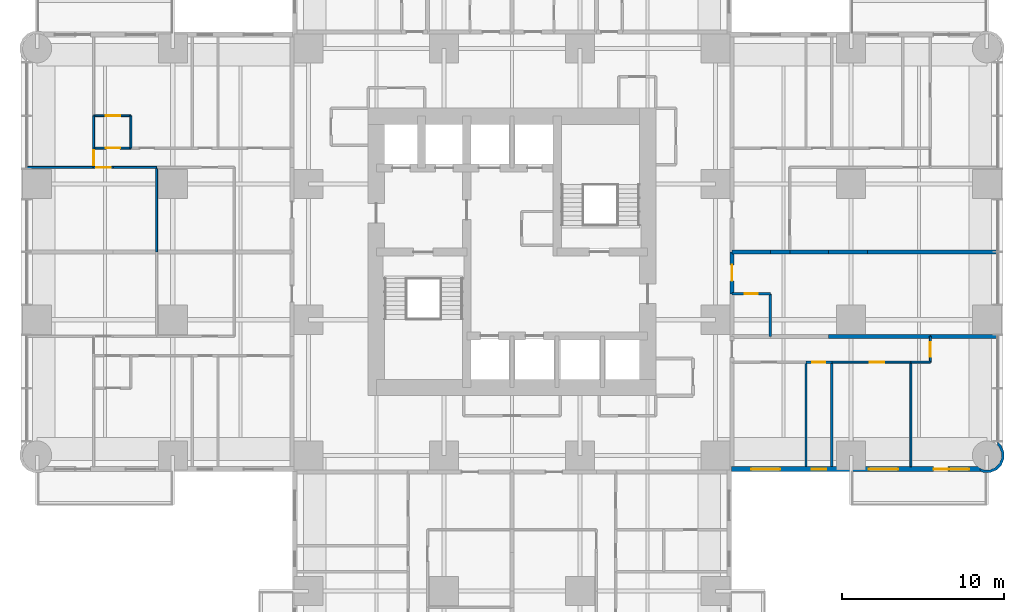
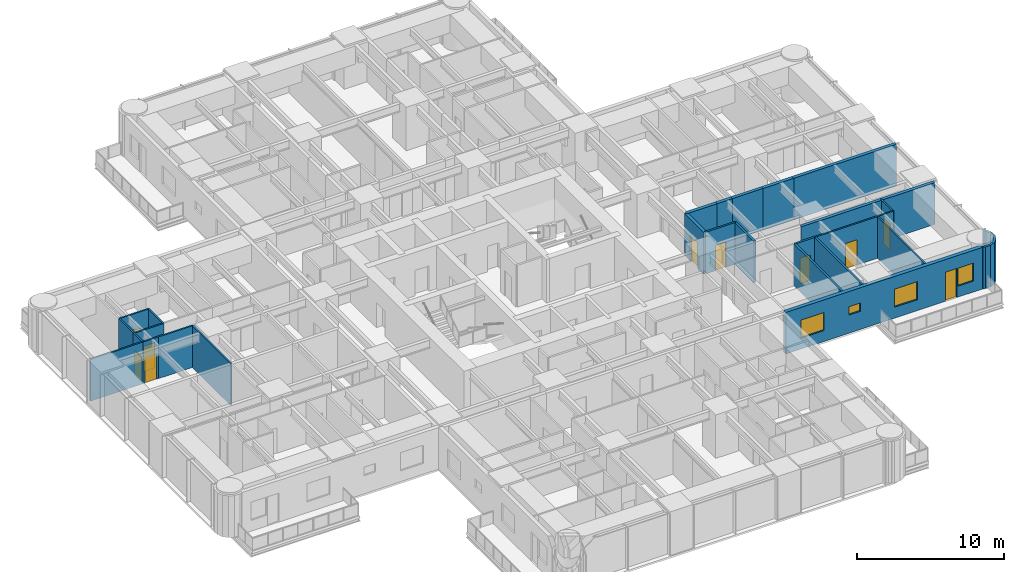
# One storey, part 11 of 17: 28 walls, 10 doors, 4 windows, 14 openings.
"""IFC4 building model written with IfcOpenShell, lengths in metres."""

from ifc_helpers import new_model, si_unit, direction, frame, frame_2d, origin, place, context, subcontext, project, spatial, polyline, rectangle, outline, extrude, material, layer, layer_set, type_object, element, fill, save


model = new_model("IFC4")

# Units and contexts
model_context = context("Model", 3, precision=1e-05, world=origin(), true_north=direction((0.0, 1.0)))
body_context = subcontext(model_context, "Body", "Model", "MODEL_VIEW")
ifc_project = project(units=[si_unit("LENGTHUNIT", "METRE"), si_unit("AREAUNIT", "SQUARE_METRE"), si_unit("VOLUMEUNIT", "CUBIC_METRE"), si_unit("PLANEANGLEUNIT", "RADIAN"), si_unit("MASSUNIT", "GRAM", prefix="KILO")], contexts=[model_context])

# Site, building, storey
site_placement = place(None, origin())
site = spatial("IfcSite", under=ifc_project, at=site_placement, CompositionType="ELEMENT")
building_placement = place(site_placement, origin())
building = spatial("IfcBuilding", under=site, at=building_placement, Name="Torre Alcanfor", CompositionType="ELEMENT")
storey_placement = place(building_placement, frame((0.0, 0.0, 92.10009765625)))
storey = spatial("IfcBuildingStorey", under=building, at=storey_placement, Name="L23", CompositionType="ELEMENT", Elevation=92.10009765625)

# Wall, opening, door
ifc_material_1 = material(Name="Concrete block masonry, hollow blocks NMX-C-404 9 MPa", Category="masonry")
ifc_layer_1 = layer(ifc_material_1, 0.25)
ifc_layer_set_1 = layer_set([ifc_layer_1], Name="Apartment entrance wall 250 EI 60")
wall_type_1 = type_object("IfcWallType", Name="Apartment entrance wall 250 EI 60", PredefinedType="PARTITIONING", material=ifc_layer_set_1)
wall_1_placement = place(storey_placement, frame((43.02490234375, 29.39990234375, 0.0), z_axis=(0.0, 0.0, 1.0), x_axis=(0.0, -1.0, 0.0)))
wall_1 = element("IfcWall", 1, at=wall_1_placement, inside=storey, type_object=wall_type_1, Name="Partition L23-CORR / L23-E2A-FOYER", PredefinedType="PARTITIONING", context=body_context, shape_type="SweptSolid", body=[
    extrude(rectangle(XDim=2.599853515625, YDim=0.25, at=frame_2d((1.2998046875, 0.0))), origin(), (0.0, 0.0, 1.0), 3.449951171875),
])
opening_1_placement = place(wall_1_placement, frame((0.800048828125, 0.0, 0.0)))
opening_1 = element("IfcOpeningElement", 2, at=opening_1_placement, cuts=wall_1, Name="Opening D-A1", PredefinedType="OPENING", context=body_context, shape_type="SweptSolid", body=[
    extrude(rectangle(XDim=1.0, YDim=2.10009765625, at=frame_2d((0.5, 1.050048828125))), frame((0.0, 0.135009765625, 0.0), z_axis=(0.0, -1.0, 0.0), x_axis=(1.0, 0.0, 0.0)), (0.0, 0.0, 1.0), 0.27001953125),
])
ifc_material_2 = material(Name="Galvanised steel sheet ASTM A653", Category="steel")
door_type_1 = type_object("IfcDoorType", Name="Apartment entrance door FD60 1000x2100", OperationType="SINGLE_SWING_LEFT", PredefinedType="DOOR", material=ifc_material_2)
door_1_placement = place(opening_1_placement, origin())
door_1 = element("IfcDoor", 3, at=door_1_placement, inside=storey, type_object=door_type_1, Name="Apartment entrance L23-E2A", OperationType="SINGLE_SWING_LEFT", OverallHeight=2.10009765625, OverallWidth=1.0, PredefinedType="DOOR", context=body_context, shape_type="SweptSolid", body=[
    extrude(rectangle(XDim=1.0, YDim=2.10009765625, at=frame_2d((0.5, 1.050048828125))), frame((0.0, 0.02490234375, 0.0), z_axis=(0.0, -1.0, 0.0), x_axis=(1.0, 0.0, 0.0)), (0.0, 0.0, 1.0), 0.050048828125),
])
fill(opening_1, door_1)

ifc_material_3 = material(Name="Gypsum board on steel studs", Category="steel")
ifc_layer_2 = layer(ifc_material_3, 0.1201171875)
ifc_layer_set_2 = layer_set([ifc_layer_2], Name="Apartment partition 120")
wall_type_2 = type_object("IfcWallType", Name="Apartment partition 120", PredefinedType="PARTITIONING", material=ifc_layer_set_2)
wall_2_placement = place(storey_placement, frame((54.10009765625, 22.571044921875, 0.0), z_axis=(0.0, 0.0, 1.0), x_axis=(-1.0, 0.0, 0.0)))
wall_2 = element("IfcWall", 4, at=wall_2_placement, inside=storey, type_object=wall_type_2, Name="Partition L23-E2B-HALL / L23-E2B-MASTER", PredefinedType="PARTITIONING", context=body_context, shape_type="SweptSolid", body=[
    extrude(rectangle(XDim=4.900146484375, YDim=0.1201171875, at=frame_2d((2.4501953125, 0.0))), origin(), (0.0, 0.0, 1.0), 3.449951171875),
])
opening_2_placement = place(wall_2_placement, frame((1.64990234375, 0.0, 0.0)))
opening_2 = element("IfcOpeningElement", 5, at=opening_2_placement, cuts=wall_2, Name="Opening D-R1", PredefinedType="OPENING", context=body_context, shape_type="SweptSolid", body=[
    extrude(rectangle(XDim=0.89990234375, YDim=2.10009765625, at=frame_2d((0.449951171875, 1.050048828125))), frame((0.0, 0.070068359375, 0.0), z_axis=(0.0, -1.0, 0.0), x_axis=(1.0, 0.0, 0.0)), (0.0, 0.0, 1.0), 0.14013671875),
])
ifc_material_4 = material(Name="Timber", Category="wood")
door_type_2 = type_object("IfcDoorType", Name="Internal door 900x2100", OperationType="SINGLE_SWING_LEFT", PredefinedType="DOOR", material=ifc_material_4)
door_2_placement = place(opening_2_placement, origin())
door_2 = element("IfcDoor", 6, at=door_2_placement, inside=storey, type_object=door_type_2, Name="Door L23-E2B master", OperationType="SINGLE_SWING_LEFT", OverallHeight=2.10009765625, OverallWidth=0.89990234375, PredefinedType="DOOR", context=body_context, shape_type="SweptSolid", body=[
    extrude(rectangle(XDim=0.89990234375, YDim=2.10009765625, at=frame_2d((0.449951171875, 1.050048828125))), frame((0.0, 0.02490234375, 0.0), z_axis=(0.0, -1.0, 0.0), x_axis=(1.0, 0.0, 0.0)), (0.0, 0.0, 1.0), 0.050048828125),
])
fill(opening_2, door_2)

# Wall
wall_3_placement = place(storey_placement, frame((55.300048828125, 22.571044921875, 0.0), z_axis=(0.0, 0.0, 1.0), x_axis=(-1.0, 0.0, 0.0)))
element("IfcWall", 7, at=wall_3_placement, inside=storey, type_object=wall_type_2, Name="Partition L23-E2B-HALL / L23-E2B-KITCHEN", PredefinedType="PARTITIONING", context=body_context, shape_type="SweptSolid", body=[
    extrude(rectangle(XDim=1.199951171875, YDim=0.1201171875, at=frame_2d((0.60009765625, 0.0))), origin(), (0.0, 0.0, 1.0), 3.449951171875),
])

# Wall, opening, door
wall_4_placement = place(storey_placement, frame((55.300048828125, 24.1708984375, 0.0), z_axis=(0.0, 0.0, 1.0), x_axis=(0.0, -1.0, 0.0)))
wall_4 = element("IfcWall", 8, at=wall_4_placement, inside=storey, type_object=wall_type_2, Name="Partition L23-E2B-HALL / L23-E2B-LIVING", PredefinedType="PARTITIONING", context=body_context, shape_type="SweptSolid", body=[
    extrude(rectangle(XDim=1.599853515625, YDim=0.1201171875, at=frame_2d((0.7998046875, 0.0))), origin(), (0.0, 0.0, 1.0), 3.449951171875),
])
opening_3_placement = place(wall_4_placement, frame((0.35009765625, 0.0, 0.0)))
opening_3 = element("IfcOpeningElement", 9, at=opening_3_placement, cuts=wall_4, Name="Opening D-R1", PredefinedType="OPENING", context=body_context, shape_type="SweptSolid", body=[
    extrude(rectangle(XDim=0.89990234375, YDim=2.10009765625, at=frame_2d((0.449951171875, 1.050048828125))), frame((0.0, 0.070068359375, 0.0), z_axis=(0.0, -1.0, 0.0), x_axis=(1.0, 0.0, 0.0)), (0.0, 0.0, 1.0), 0.14013671875),
])
door_3_placement = place(opening_3_placement, origin())
door_3 = element("IfcDoor", 10, at=door_3_placement, inside=storey, type_object=door_type_2, Name="Door L23-E2B living", OperationType="SINGLE_SWING_LEFT", OverallHeight=2.10009765625, OverallWidth=0.89990234375, PredefinedType="DOOR", context=body_context, shape_type="SweptSolid", body=[
    extrude(rectangle(XDim=0.89990234375, YDim=2.10009765625, at=frame_2d((0.449951171875, 1.050048828125))), frame((0.0, 0.02490234375, 0.0), z_axis=(0.0, -1.0, 0.0), x_axis=(1.0, 0.0, 0.0)), (0.0, 0.0, 1.0), 0.050048828125),
])
fill(opening_3, door_3)

# Walls
wall_5_placement = place(storey_placement, frame((54.10009765625, 22.571044921875, 0.0), z_axis=(0.0, 0.0, 1.0), x_axis=(0.0, -1.0, 0.0)))
element("IfcWall", 11, at=wall_5_placement, inside=storey, type_object=wall_type_2, Name="Partition L23-E2B-MASTER / L23-E2B-KITCHEN", PredefinedType="PARTITIONING", context=body_context, shape_type="SweptSolid", body=[
    extrude(rectangle(XDim=6.470947265625, YDim=0.1201171875, at=frame_2d((3.2353515625, 0.0))), origin(), (0.0, 0.0, 1.0), 3.449951171875),
])
wall_6_placement = place(storey_placement, frame((7.39990234375, 29.39990234375, 0.0), z_axis=(0.0, 0.0, 1.0), x_axis=(0.0, 1.0, 0.0)))
element("IfcWall", 12, at=wall_6_placement, inside=storey, type_object=wall_type_2, Name="Partition L23-W2-FAMILY / L23-W2-KITCHEN", PredefinedType="PARTITIONING", context=body_context, shape_type="SweptSolid", body=[
    extrude(rectangle(XDim=5.22900390625, YDim=0.1201171875, at=frame_2d((2.614501953125, 0.0))), origin(), (0.0, 0.0, 1.0), 3.449951171875),
])
wall_7_placement = place(storey_placement, frame((4.699951171875, 34.62890625, 0.0), z_axis=(0.0, 0.0, 1.0), x_axis=(1.0, 0.0, 0.0)))
element("IfcWall", 13, at=wall_7_placement, inside=storey, type_object=wall_type_2, Name="Partition L23-W2-KITCHEN / L23-W2-HALL", PredefinedType="PARTITIONING", context=body_context, shape_type="SweptSolid", body=[
    extrude(rectangle(XDim=2.699951171875, YDim=0.1201171875, at=frame_2d((1.35009765625, 0.0))), origin(), (0.0, 0.0, 1.0), 3.449951171875),
])

# Wall, opening, door
wall_8_placement = place(storey_placement, frame((3.5, 34.62890625, 0.0), z_axis=(0.0, 0.0, 1.0), x_axis=(1.0, 0.0, 0.0)))
wall_8 = element("IfcWall", 14, at=wall_8_placement, inside=storey, type_object=wall_type_2, Name="Partition L23-W2-LIVING / L23-W2-HALL", PredefinedType="PARTITIONING", context=body_context, shape_type="SweptSolid", body=[
    extrude(rectangle(XDim=1.199951171875, YDim=0.1201171875, at=frame_2d((0.60009765625, 0.0))), origin(), (0.0, 0.0, 1.0), 3.449951171875),
])
opening_4_placement = place(wall_8_placement, frame((0.14990234375, 0.0, 0.0)))
opening_4 = element("IfcOpeningElement", 15, at=opening_4_placement, cuts=wall_8, Name="Opening D-R1", PredefinedType="OPENING", context=body_context, shape_type="SweptSolid", body=[
    extrude(rectangle(XDim=0.89990234375, YDim=2.10009765625, at=frame_2d((0.449951171875, 1.050048828125))), frame((0.0, 0.070068359375, 0.0), z_axis=(0.0, -1.0, 0.0), x_axis=(1.0, 0.0, 0.0)), (0.0, 0.0, 1.0), 0.14013671875),
])
door_4_placement = place(opening_4_placement, frame((0.89990234375, 0.0, 0.0), z_axis=(0.0, 0.0, 1.0), x_axis=(-1.0, 0.0, 0.0)))
door_4 = element("IfcDoor", 16, at=door_4_placement, inside=storey, type_object=door_type_2, Name="Door L23-W2 living", OperationType="SINGLE_SWING_LEFT", OverallHeight=2.10009765625, OverallWidth=0.89990234375, PredefinedType="DOOR", context=body_context, shape_type="SweptSolid", body=[
    extrude(rectangle(XDim=0.89990234375, YDim=2.10009765625, at=frame_2d((0.449951171875, 1.050048828125))), frame((0.0, 0.025146484375, 0.0), z_axis=(0.0, -1.0, 0.0), x_axis=(1.0, 0.0, 0.0)), (0.0, 0.0, 1.0), 0.050048828125),
])
fill(opening_4, door_4)

# Wall
wall_9_placement = place(storey_placement, frame((-0.64990234375, 34.62890625, 0.0), z_axis=(0.0, 0.0, 1.0), x_axis=(1.0, 0.0, 0.0)))
element("IfcWall", 17, at=wall_9_placement, inside=storey, type_object=wall_type_2, Name="Partition L23-W2-LIVING / L23-W2-WGARD", PredefinedType="PARTITIONING", context=body_context, shape_type="SweptSolid", body=[
    extrude(rectangle(XDim=4.14990234375, YDim=0.1201171875, at=frame_2d((2.074951171875, 0.0))), origin(), (0.0, 0.0, 1.0), 3.449951171875),
])

# Wall, opening, door
wall_10_placement = place(storey_placement, frame((3.5, 35.8291015625, 0.0), z_axis=(0.0, 0.0, 1.0), x_axis=(1.0, 0.0, 0.0)))
wall_10 = element("IfcWall", 18, at=wall_10_placement, inside=storey, type_object=wall_type_2, Name="Partition L23-W2-HALL / L23-W2-VEST", PredefinedType="PARTITIONING", context=body_context, shape_type="SweptSolid", body=[
    extrude(rectangle(XDim=2.300048828125, YDim=0.1201171875, at=frame_2d((1.14990234375, 0.0))), origin(), (0.0, 0.0, 1.0), 3.449951171875),
])
opening_5_placement = place(wall_10_placement, frame((0.75, 0.0, 0.0)))
opening_5 = element("IfcOpeningElement", 19, at=opening_5_placement, cuts=wall_10, Name="Opening D-R1", PredefinedType="OPENING", context=body_context, shape_type="SweptSolid", body=[
    extrude(rectangle(XDim=0.89990234375, YDim=2.10009765625, at=frame_2d((0.449951171875, 1.050048828125))), frame((0.0, 0.070068359375, 0.0), z_axis=(0.0, -1.0, 0.0), x_axis=(1.0, 0.0, 0.0)), (0.0, 0.0, 1.0), 0.14013671875),
])
door_5_placement = place(opening_5_placement, origin())
door_5 = element("IfcDoor", 20, at=door_5_placement, inside=storey, type_object=door_type_2, Name="Door L23-W2 vest", OperationType="SINGLE_SWING_RIGHT", OverallHeight=2.10009765625, OverallWidth=0.89990234375, PredefinedType="DOOR", context=body_context, shape_type="SweptSolid", body=[
    extrude(rectangle(XDim=0.89990234375, YDim=2.10009765625, at=frame_2d((0.449951171875, 1.050048828125))), frame((0.0, 0.02490234375, 0.0), z_axis=(0.0, -1.0, 0.0), x_axis=(1.0, 0.0, 0.0)), (0.0, 0.0, 1.0), 0.050048828125),
])
fill(opening_5, door_5)

wall_11_placement = place(storey_placement, frame((3.5, 34.62890625, 0.0), z_axis=(0.0, 0.0, 1.0), x_axis=(0.0, 1.0, 0.0)))
wall_11 = element("IfcWall", 21, at=wall_11_placement, inside=storey, type_object=wall_type_2, Name="Partition L23-W2-HALL / L23-W2-WGARD", PredefinedType="PARTITIONING", context=body_context, shape_type="SweptSolid", body=[
    extrude(rectangle(XDim=1.2001953125, YDim=0.1201171875, at=frame_2d((0.60009765625, 0.0))), origin(), (0.0, 0.0, 1.0), 3.449951171875),
])
opening_6_placement = place(wall_11_placement, frame((0.15087890625, 0.0, 0.0)))
opening_6 = element("IfcOpeningElement", 22, at=opening_6_placement, cuts=wall_11, Name="Opening D-R1", PredefinedType="OPENING", context=body_context, shape_type="SweptSolid", body=[
    extrude(rectangle(XDim=0.89990234375, YDim=2.10009765625, at=frame_2d((0.449951171875, 1.050048828125))), frame((0.0, 0.070068359375, 0.0), z_axis=(0.0, -1.0, 0.0), x_axis=(1.0, 0.0, 0.0)), (0.0, 0.0, 1.0), 0.14013671875),
])
door_6_placement = place(opening_6_placement, origin())
door_6 = element("IfcDoor", 23, at=door_6_placement, inside=storey, type_object=door_type_2, Name="Door L23-W2 wgard", OperationType="SINGLE_SWING_LEFT", OverallHeight=2.10009765625, OverallWidth=0.89990234375, PredefinedType="DOOR", context=body_context, shape_type="SweptSolid", body=[
    extrude(rectangle(XDim=0.89990234375, YDim=2.10009765625, at=frame_2d((0.449951171875, 1.050048828125))), frame((0.0, 0.02490234375, 0.0), z_axis=(0.0, -1.0, 0.0), x_axis=(1.0, 0.0, 0.0)), (0.0, 0.0, 1.0), 0.050048828125),
])
fill(opening_6, door_6)

# Wall
wall_12_placement = place(storey_placement, frame((5.800048828125, 35.8291015625, 0.0), z_axis=(0.0, 0.0, 1.0), x_axis=(0.0, 1.0, 0.0)))
element("IfcWall", 24, at=wall_12_placement, inside=storey, type_object=wall_type_2, Name="Partition L23-W2-MASTER / L23-W2-VEST", PredefinedType="PARTITIONING", context=body_context, shape_type="SweptSolid", body=[
    extrude(rectangle(XDim=2.0, YDim=0.1201171875, at=frame_2d((1.0, 0.0))), origin(), (0.0, 0.0, 1.0), 3.449951171875),
])

# Wall, opening, door
wall_13_placement = place(storey_placement, frame((5.800048828125, 37.8291015625, 0.0), z_axis=(0.0, 0.0, 1.0), x_axis=(-1.0, 0.0, 0.0)))
wall_13 = element("IfcWall", 25, at=wall_13_placement, inside=storey, type_object=wall_type_2, Name="Partition L23-W2-MASTER / L23-W2-VEST", PredefinedType="PARTITIONING", context=body_context, shape_type="SweptSolid", body=[
    extrude(rectangle(XDim=2.300048828125, YDim=0.1201171875, at=frame_2d((1.14990234375, 0.0))), origin(), (0.0, 0.0, 1.0), 3.449951171875),
])
opening_7_placement = place(wall_13_placement, frame((0.64990234375, 0.0, 0.0)))
opening_7 = element("IfcOpeningElement", 26, at=opening_7_placement, cuts=wall_13, Name="Opening D-R1", PredefinedType="OPENING", context=body_context, shape_type="SweptSolid", body=[
    extrude(rectangle(XDim=0.89990234375, YDim=2.10009765625, at=frame_2d((0.449951171875, 1.050048828125))), frame((0.0, 0.070068359375, 0.0), z_axis=(0.0, -1.0, 0.0), x_axis=(1.0, 0.0, 0.0)), (0.0, 0.0, 1.0), 0.14013671875),
])
door_7_placement = place(opening_7_placement, origin())
door_7 = element("IfcDoor", 27, at=door_7_placement, inside=storey, type_object=door_type_2, Name="Door L23-W2 master", OperationType="SINGLE_SWING_LEFT", OverallHeight=2.10009765625, OverallWidth=0.89990234375, PredefinedType="DOOR", context=body_context, shape_type="SweptSolid", body=[
    extrude(rectangle(XDim=0.89990234375, YDim=2.10009765625, at=frame_2d((0.449951171875, 1.050048828125))), frame((0.0, 0.02490234375, 0.0), z_axis=(0.0, -1.0, 0.0), x_axis=(1.0, 0.0, 0.0)), (0.0, 0.0, 1.0), 0.050048828125),
])
fill(opening_7, door_7)

# Wall
wall_14_placement = place(storey_placement, frame((3.5, 35.8291015625, 0.0), z_axis=(0.0, 0.0, 1.0), x_axis=(0.0, 1.0, 0.0)))
element("IfcWall", 28, at=wall_14_placement, inside=storey, type_object=wall_type_2, Name="Partition L23-W2-VEST / L23-W2-WGARD", PredefinedType="PARTITIONING", context=body_context, shape_type="SweptSolid", body=[
    extrude(rectangle(XDim=2.0, YDim=0.1201171875, at=frame_2d((1.0, 0.0))), origin(), (0.0, 0.0, 1.0), 3.449951171875),
])

# Wall, openings, door, windows
ifc_material_5 = material(Name="Limestone cladding", Category="masonry")
ifc_layer_3 = layer(ifc_material_5, 0.0400390625, Name="Facing")
ifc_material_6 = material(Name="Ventilated air cavity")
ifc_layer_4 = layer(ifc_material_6, 0.02001953125, ventilated=True, Name="Ventilated joint")
ifc_material_7 = material(Name="Mineral wool insulation", Category="insulation")
ifc_layer_5 = layer(ifc_material_7, 0.10009765625, Name="Insulation")
ifc_material_8 = material(Name="Concrete f'c 35 MPa", Category="concrete")
ifc_layer_6 = layer(ifc_material_8, 0.139892578125, Name="Backing")
ifc_layer_set_3 = layer_set([ifc_layer_3, ifc_layer_4, ifc_layer_5, ifc_layer_6], Name="External wall stone-clad 300")
wall_type_3 = type_object("IfcWallType", Name="External wall stone-clad 300", PredefinedType="SOLIDWALL", material=ifc_layer_set_3)
wall_15_placement = place(storey_placement, frame((43.0, 15.949951171875, 0.0), z_axis=(0.0, 0.0, 1.0), x_axis=(1.0, 0.0, 0.0)))
wall_15 = element("IfcWall", 29, at=wall_15_placement, inside=storey, type_object=wall_type_3, Name="External wall L23 7", PredefinedType="SOLIDWALL", context=body_context, shape_type="SweptSolid", body=[
    extrude(rectangle(XDim=15.39990234375, YDim=0.300048828125, at=frame_2d((7.699951171875, 0.0))), origin(), (0.0, 0.0, 1.0), 3.449951171875),
])
opening_8_placement = place(wall_15_placement, frame((1.199951171875, 0.0, 0.89990234375)))
opening_8 = element("IfcOpeningElement", 30, at=opening_8_placement, cuts=wall_15, Name="Opening W2", PredefinedType="OPENING", context=body_context, shape_type="SweptSolid", body=[
    extrude(rectangle(XDim=1.800048828125, YDim=1.5, at=frame_2d((0.89990234375, 0.75))), frame((0.0, 0.159912109375, 0.0), z_axis=(0.0, -1.0, 0.0), x_axis=(1.0, 0.0, 0.0)), (0.0, 0.0, 1.0), 0.320068359375),
])
opening_9_placement = place(wall_15_placement, frame((4.949951171875, 0.0, 1.5)))
opening_9 = element("IfcOpeningElement", 31, at=opening_9_placement, cuts=wall_15, Name="Opening W3", PredefinedType="OPENING", context=body_context, shape_type="SweptSolid", body=[
    extrude(rectangle(XDim=0.89990234375, YDim=0.699951171875, at=frame_2d((0.449951171875, 0.35009765625))), frame((0.0, 0.159912109375, 0.0), z_axis=(0.0, -1.0, 0.0), x_axis=(1.0, 0.0, 0.0)), (0.0, 0.0, 1.0), 0.320068359375),
])
opening_10_placement = place(wall_15_placement, frame((8.5, 0.0, 0.89990234375)))
opening_10 = element("IfcOpeningElement", 32, at=opening_10_placement, cuts=wall_15, Name="Opening W2", PredefinedType="OPENING", context=body_context, shape_type="SweptSolid", body=[
    extrude(rectangle(XDim=1.800048828125, YDim=1.5, at=frame_2d((0.89990234375, 0.75))), frame((0.0, 0.159912109375, 0.0), z_axis=(0.0, -1.0, 0.0), x_axis=(1.0, 0.0, 0.0)), (0.0, 0.0, 1.0), 0.320068359375),
])
opening_11_placement = place(wall_15_placement, frame((12.5, 0.0, 0.0)))
opening_11 = element("IfcOpeningElement", 33, at=opening_11_placement, cuts=wall_15, Name="Opening D-B1", PredefinedType="OPENING", context=body_context, shape_type="SweptSolid", body=[
    extrude(rectangle(XDim=0.89990234375, YDim=2.39990234375, at=frame_2d((0.449951171875, 1.199951171875))), frame((0.0, 0.159912109375, 0.0), z_axis=(0.0, -1.0, 0.0), x_axis=(1.0, 0.0, 0.0)), (0.0, 0.0, 1.0), 0.320068359375),
])
opening_12_placement = place(wall_15_placement, frame((13.5, 0.0, 0.89990234375)))
opening_12 = element("IfcOpeningElement", 34, at=opening_12_placement, cuts=wall_15, Name="Opening W4", PredefinedType="OPENING", context=body_context, shape_type="SweptSolid", body=[
    extrude(rectangle(XDim=1.199951171875, YDim=1.5, at=frame_2d((0.60009765625, 0.75))), frame((0.0, 0.159912109375, 0.0), z_axis=(0.0, -1.0, 0.0), x_axis=(1.0, 0.0, 0.0)), (0.0, 0.0, 1.0), 0.320068359375),
])
ifc_material_9 = material(Name="Aluminium and glass", Category="aluminium")
door_type_3 = type_object("IfcDoorType", Name="Balcony door glazed 900x2400", OperationType="SINGLE_SWING_LEFT", PredefinedType="DOOR", material=ifc_material_9)
door_8_placement = place(opening_11_placement, origin())
door_8 = element("IfcDoor", 35, at=door_8_placement, inside=storey, type_object=door_type_3, Name="Balcony door L23-E2", OperationType="SINGLE_SWING_LEFT", OverallHeight=2.39990234375, OverallWidth=0.89990234375, PredefinedType="DOOR", context=body_context, shape_type="SweptSolid", body=[
    extrude(rectangle(XDim=0.89990234375, YDim=2.39990234375, at=frame_2d((0.449951171875, 1.199951171875))), frame((0.0, 0.02490234375, 0.0), z_axis=(0.0, -1.0, 0.0), x_axis=(1.0, 0.0, 0.0)), (0.0, 0.0, 1.0), 0.050048828125),
])
fill(opening_11, door_8)
ifc_material_10 = material(Name="Aluminium frame with clear double glazing", Category="aluminium")
window_type_1 = type_object("IfcWindowType", Name="Window bathroom 900x700", PartitioningType="SINGLE_PANEL", PredefinedType="WINDOW", material=ifc_material_10)
window_1_placement = place(opening_9_placement, origin())
window_1 = element("IfcWindow", 36, at=window_1_placement, inside=storey, type_object=window_type_1, Name="Window W3 L23-E2", OverallHeight=0.699951171875, OverallWidth=0.89990234375, PartitioningType="SINGLE_PANEL", PredefinedType="WINDOW", context=body_context, shape_type="SweptSolid", body=[
    extrude(rectangle(XDim=0.89990234375, YDim=0.699951171875, at=frame_2d((0.449951171875, 0.35009765625))), frame((0.0, 0.030029296875, 0.0), z_axis=(0.0, -1.0, 0.0), x_axis=(1.0, 0.0, 0.0)), (0.0, 0.0, 1.0), 0.06005859375),
])
fill(opening_9, window_1)
ifc_material_11 = material(Name="Aluminium frame with clear double glazing", Category="aluminium")
window_type_2 = type_object("IfcWindowType", Name="Window bedroom 1200x1500", PartitioningType="SINGLE_PANEL", PredefinedType="WINDOW", material=ifc_material_11)
window_2_placement = place(opening_12_placement, origin())
window_2 = element("IfcWindow", 37, at=window_2_placement, inside=storey, type_object=window_type_2, Name="Window W4 L23-E2", OverallHeight=1.5, OverallWidth=1.199951171875, PartitioningType="SINGLE_PANEL", PredefinedType="WINDOW", context=body_context, shape_type="SweptSolid", body=[
    extrude(rectangle(XDim=1.199951171875, YDim=1.5, at=frame_2d((0.60009765625, 0.75))), frame((0.0, 0.030029296875, 0.0), z_axis=(0.0, -1.0, 0.0), x_axis=(1.0, 0.0, 0.0)), (0.0, 0.0, 1.0), 0.06005859375),
])
fill(opening_12, window_2)
ifc_material_12 = material(Name="Aluminium frame with clear double glazing", Category="aluminium")
window_type_3 = type_object("IfcWindowType", Name="Window bedroom 1800x1500", PartitioningType="SINGLE_PANEL", PredefinedType="WINDOW", material=ifc_material_12)
window_3_placement = place(opening_8_placement, origin())
window_3 = element("IfcWindow", 38, at=window_3_placement, inside=storey, type_object=window_type_3, Name="Window W2 L23-E2", OverallHeight=1.5, OverallWidth=1.800048828125, PartitioningType="SINGLE_PANEL", PredefinedType="WINDOW", context=body_context, shape_type="SweptSolid", body=[
    extrude(rectangle(XDim=1.800048828125, YDim=1.5, at=frame_2d((0.89990234375, 0.75))), frame((0.0, 0.030029296875, 0.0), z_axis=(0.0, -1.0, 0.0), x_axis=(1.0, 0.0, 0.0)), (0.0, 0.0, 1.0), 0.06005859375),
])
fill(opening_8, window_3)
window_4_placement = place(opening_10_placement, origin())
window_4 = element("IfcWindow", 39, at=window_4_placement, inside=storey, type_object=window_type_3, Name="Window W2 L23-E2", OverallHeight=1.5, OverallWidth=1.800048828125, PartitioningType="SINGLE_PANEL", PredefinedType="WINDOW", context=body_context, shape_type="SweptSolid", body=[
    extrude(rectangle(XDim=1.800048828125, YDim=1.5, at=frame_2d((0.89990234375, 0.75))), frame((0.0, 0.030029296875, 0.0), z_axis=(0.0, -1.0, 0.0), x_axis=(1.0, 0.0, 0.0)), (0.0, 0.0, 1.0), 0.06005859375),
])
fill(opening_10, window_4)

# Walls
ifc_material_13 = material(Name="Concrete block masonry, hollow blocks NMX-C-404 9 MPa", Category="masonry")
ifc_layer_7 = layer(ifc_material_13, 0.25)
ifc_layer_set_4 = layer_set([ifc_layer_7], Name="Party wall 250 EI 60")
wall_type_4 = type_object("IfcWallType", Name="Party wall 250 EI 60", PredefinedType="PARTITIONING", material=ifc_layer_set_4)
wall_16_placement = place(storey_placement, frame((43.02490234375, 29.39990234375, 0.0), z_axis=(0.0, 0.0, 1.0), x_axis=(1.0, 0.0, 0.0)))
element("IfcWall", 40, at=wall_16_placement, inside=storey, type_object=wall_type_4, Name="Partition L23-E1-ZAG / L23-E2A-FOYER", PredefinedType="PARTITIONING", context=body_context, shape_type="SweptSolid", body=[
    extrude(rectangle(XDim=2.375, YDim=0.25, at=frame_2d((1.1875, 0.0))), origin(), (0.0, 0.0, 1.0), 3.449951171875),
])
wall_17_placement = place(storey_placement, frame((45.39990234375, 29.39990234375, 0.0), z_axis=(0.0, 0.0, 1.0), x_axis=(1.0, 0.0, 0.0)))
element("IfcWall", 41, at=wall_17_placement, inside=storey, type_object=wall_type_4, Name="Partition L23-E1-ZAG / L23-E2A-KITCHEN", PredefinedType="PARTITIONING", context=body_context, shape_type="SweptSolid", body=[
    extrude(rectangle(XDim=1.2001953125, YDim=0.25, at=frame_2d((0.60009765625, 0.0))), origin(), (0.0, 0.0, 1.0), 3.449951171875),
])
for number, where, z_axis, x_axis, name in (
    (42, (46.60009765625, 29.39990234375, 0.0), (0.0, 0.0, 1.0), (1.0, 0.0, 0.0), "Partition L23-E1-KITCHEN / L23-E2A-KITCHEN"),
    (43, (49.0, 29.39990234375, 0.0), (0.0, 0.0, 1.0), (1.0, 0.0, 0.0), "Partition L23-E1-KITCHEN / L23-E2A-STUDIO"),
):
    element("IfcWall", number, at=place(storey_placement, frame(where, z_axis=z_axis, x_axis=x_axis)), inside=storey, type_object=wall_type_4, Name=name, PredefinedType="PARTITIONING", context=body_context, shape_type="SweptSolid", body=[
        extrude(rectangle(XDim=2.39990234375, YDim=0.25, at=frame_2d((1.199951171875, 0.0))), origin(), (0.0, 0.0, 1.0), 3.449951171875),
    ])
wall_18_placement = place(storey_placement, frame((51.39990234375, 29.39990234375, 0.0), z_axis=(0.0, 0.0, 1.0), x_axis=(1.0, 0.0, 0.0)))
element("IfcWall", 44, at=wall_18_placement, inside=storey, type_object=wall_type_4, Name="Partition L23-E1-LIVING / L23-E2A-STUDIO", PredefinedType="PARTITIONING", context=body_context, shape_type="SweptSolid", body=[
    extrude(rectangle(XDim=8.050048828125, YDim=0.25, at=frame_2d((4.02490234375, 0.0))), origin(), (0.0, 0.0, 1.0), 3.449951171875),
])
wall_19_placement = place(storey_placement, frame((55.300048828125, 24.1708984375, 0.0), z_axis=(0.0, 0.0, 1.0), x_axis=(-1.0, 0.0, 0.0)))
element("IfcWall", 45, at=wall_19_placement, inside=storey, type_object=wall_type_4, Name="Partition L23-E2A-STUDIO / L23-E2B-HALL", PredefinedType="PARTITIONING", context=body_context, shape_type="SweptSolid", body=[
    extrude(rectangle(XDim=6.300048828125, YDim=0.25, at=frame_2d((3.14990234375, 0.0))), origin(), (0.0, 0.0, 1.0), 3.449951171875),
])
wall_20_placement = place(storey_placement, frame((59.449951171875, 24.1708984375, 0.0), z_axis=(0.0, 0.0, 1.0), x_axis=(-1.0, 0.0, 0.0)))
element("IfcWall", 46, at=wall_20_placement, inside=storey, type_object=wall_type_4, Name="Partition L23-E2A-STUDIO / L23-E2B-LIVING", PredefinedType="PARTITIONING", context=body_context, shape_type="SweptSolid", body=[
    extrude(rectangle(XDim=4.14990234375, YDim=0.25, at=frame_2d((2.074951171875, 0.0))), origin(), (0.0, 0.0, 1.0), 3.449951171875),
])
ifc_layer_8 = layer(ifc_material_5, 0.0400390625, Name="Facing")
ifc_layer_9 = layer(ifc_material_6, 0.02001953125, ventilated=True, Name="Ventilated joint")
ifc_layer_10 = layer(ifc_material_7, 0.10009765625, Name="Insulation")
ifc_layer_11 = layer(ifc_material_8, 0.139892578125, Name="Backing")
ifc_layer_set_5 = layer_set([ifc_layer_8, ifc_layer_9, ifc_layer_10, ifc_layer_11], Name="Rounded corner pier stone-clad 300")
wall_type_5 = type_object("IfcWallType", Name="Rounded corner pier stone-clad 300", PredefinedType="SOLIDWALL", material=ifc_layer_set_5)
wall_21_placement = place(storey_placement, frame((58.436037137, 15.890092843, 0.0), z_axis=(0.0, 0.0, 1.0), x_axis=(0.926129809145, -0.377204953059, 0.0)))
element("IfcWall", 47, at=wall_21_placement, inside=storey, type_object=wall_type_5, Name="Corner pier L23 17", PredefinedType="SOLIDWALL", context=body_context, shape_type="SweptSolid", body=[
    extrude(outline(polyline([(0.769166837716128, 1.7276108100514604), (0.7500653632983351, 1.7227306908268178), (0.5995000244675756, 1.8749338844742405), (0.2945752424497483, 2.003546223814982), (0.2810088878235957, 1.9980207606354041), (0.36029928445054193, 1.803343571750114), (0.5086711604613772, 1.740666542271283), (0.7606181499848057, 1.4858220995022824), (0.8958078157784841, 1.153898622982415), (0.8937038530249802, 0.7953177307388815), (0.7545964309992416, 0.4650292826997394), (0.49975198823024103, 0.21308229317631072), (0.16782851171037358, 0.07789262738263233), (-0.0998950178182167, 0.07956887308382314), (0.0004995392280573718, -0.09702266930253471), (0.03004451591433495, -0.08024419760165923), (0.19838601885213236, -0.08127415720020953), (0.5888709261748919, 0.07776709131864781), (0.888863773202199, 0.37420041869354087), (1.0524038230869968, 0.7629450169505976), (1.0552007062717619, 1.1845482211771667), (0.8961594577529046, 1.5750331284999262), (0.777713405588319, 1.694976661367872), (0.769166837716128, 1.7276108100514604)])), origin(), (0.0, 0.0, 1.0), 3.449951171875),
])

# Wall, opening, door
ifc_material_14 = material(Name="Cement board on steel studs", Category="steel")
ifc_layer_12 = layer(ifc_material_14, 0.14990234375)
ifc_layer_set_6 = layer_set([ifc_layer_12], Name="Wet area partition 150")
wall_type_6 = type_object("IfcWallType", Name="Wet area partition 150", PredefinedType="PARTITIONING", material=ifc_layer_set_6)
wall_22_placement = place(storey_placement, frame((45.39990234375, 26.800048828125, 0.0), z_axis=(0.0, 0.0, 1.0), x_axis=(-1.0, 0.0, 0.0)))
wall_22 = element("IfcWall", 48, at=wall_22_placement, inside=storey, type_object=wall_type_6, Name="Partition L23-E2A-FOYER / L23-E2A-BATH", PredefinedType="PARTITIONING", context=body_context, shape_type="SweptSolid", body=[
    extrude(rectangle(XDim=2.375, YDim=0.14990234375, at=frame_2d((1.1875, 0.0))), origin(), (0.0, 0.0, 1.0), 3.449951171875),
])
opening_13_placement = place(wall_22_placement, frame((0.800048828125, 0.0, 0.0)))
opening_13 = element("IfcOpeningElement", 49, at=opening_13_placement, cuts=wall_22, Name="Opening D-R2", PredefinedType="OPENING", context=body_context, shape_type="SweptSolid", body=[
    extrude(rectangle(XDim=0.800048828125, YDim=2.10009765625, at=frame_2d((0.39990234375, 1.050048828125))), frame((0.0, 0.0849609375, 0.0), z_axis=(0.0, -1.0, 0.0), x_axis=(1.0, 0.0, 0.0)), (0.0, 0.0, 1.0), 0.169921875),
])
ifc_material_15 = material(Name="Timber", Category="wood")
door_type_4 = type_object("IfcDoorType", Name="Bathroom door 800x2100", OperationType="SINGLE_SWING_LEFT", PredefinedType="DOOR", material=ifc_material_15)
door_9_placement = place(opening_13_placement, origin())
door_9 = element("IfcDoor", 50, at=door_9_placement, inside=storey, type_object=door_type_4, Name="Door L23-E2A bath", OperationType="SINGLE_SWING_RIGHT", OverallHeight=2.10009765625, OverallWidth=0.800048828125, PredefinedType="DOOR", context=body_context, shape_type="SweptSolid", body=[
    extrude(rectangle(XDim=0.800048828125, YDim=2.10009765625, at=frame_2d((0.39990234375, 1.050048828125))), frame((0.0, 0.02490234375, 0.0), z_axis=(0.0, -1.0, 0.0), x_axis=(1.0, 0.0, 0.0)), (0.0, 0.0, 1.0), 0.050048828125),
])
fill(opening_13, door_9)

# Wall
wall_23_placement = place(storey_placement, frame((45.39990234375, 26.800048828125, 0.0), z_axis=(0.0, 0.0, 1.0), x_axis=(0.0, -1.0, 0.0)))
element("IfcWall", 51, at=wall_23_placement, inside=storey, type_object=wall_type_6, Name="Partition L23-E2A-BATH / L23-E2A-KITCHEN", PredefinedType="PARTITIONING", context=body_context, shape_type="SweptSolid", body=[
    extrude(rectangle(XDim=2.629150390625, YDim=0.14990234375, at=frame_2d((1.314453125, 0.0))), origin(), (0.0, 0.0, 1.0), 3.449951171875),
])

# Wall, opening, door
wall_24_placement = place(storey_placement, frame((49.199951171875, 22.571044921875, 0.0), z_axis=(0.0, 0.0, 1.0), x_axis=(-1.0, 0.0, 0.0)))
wall_24 = element("IfcWall", 52, at=wall_24_placement, inside=storey, type_object=wall_type_6, Name="Partition L23-E2B-HALL / L23-E2B-BATH", PredefinedType="PARTITIONING", context=body_context, shape_type="SweptSolid", body=[
    extrude(rectangle(XDim=1.599853515625, YDim=0.14990234375, at=frame_2d((0.7998046875, 0.0))), origin(), (0.0, 0.0, 1.0), 3.449951171875),
])
opening_14_placement = place(wall_24_placement, frame((0.39990234375, 0.0, 0.0)))
opening_14 = element("IfcOpeningElement", 53, at=opening_14_placement, cuts=wall_24, Name="Opening D-R2", PredefinedType="OPENING", context=body_context, shape_type="SweptSolid", body=[
    extrude(rectangle(XDim=0.800048828125, YDim=2.10009765625, at=frame_2d((0.39990234375, 1.050048828125))), frame((0.0, 0.0849609375, 0.0), z_axis=(0.0, -1.0, 0.0), x_axis=(1.0, 0.0, 0.0)), (0.0, 0.0, 1.0), 0.169921875),
])
door_10_placement = place(opening_14_placement, origin())
door_10 = element("IfcDoor", 54, at=door_10_placement, inside=storey, type_object=door_type_4, Name="Door L23-E2B bath", OperationType="SINGLE_SWING_LEFT", OverallHeight=2.10009765625, OverallWidth=0.800048828125, PredefinedType="DOOR", context=body_context, shape_type="SweptSolid", body=[
    extrude(rectangle(XDim=0.800048828125, YDim=2.10009765625, at=frame_2d((0.39990234375, 1.050048828125))), frame((0.0, 0.02490234375, 0.0), z_axis=(0.0, -1.0, 0.0), x_axis=(1.0, 0.0, 0.0)), (0.0, 0.0, 1.0), 0.050048828125),
])
fill(opening_14, door_10)

# Walls
for number, where, z_axis, x_axis, name in (
    (55, (47.60009765625, 22.571044921875, 0.0), (0.0, 0.0, 1.0), (0.0, -1.0, 0.0), "Partition L23-E2B-BED2 / L23-E2B-BATH"),
    (56, (49.199951171875, 22.571044921875, 0.0), (0.0, 0.0, 1.0), (0.0, -1.0, 0.0), "Partition L23-E2B-BATH / L23-E2B-MASTER"),
):
    element("IfcWall", number, at=place(storey_placement, frame(where, z_axis=z_axis, x_axis=x_axis)), inside=storey, type_object=wall_type_6, Name=name, PredefinedType="PARTITIONING", context=body_context, shape_type="SweptSolid", body=[
        extrude(rectangle(XDim=6.470947265625, YDim=0.14990234375, at=frame_2d((3.2353515625, 0.0))), origin(), (0.0, 0.0, 1.0), 3.449951171875),
    ])

save(model, "model.ifc")
